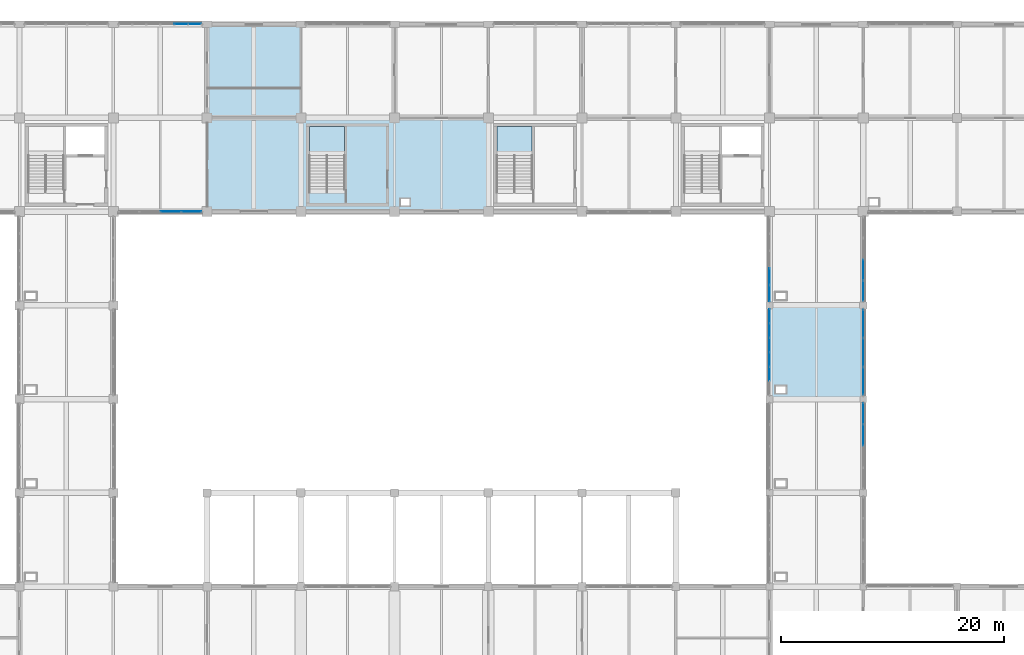
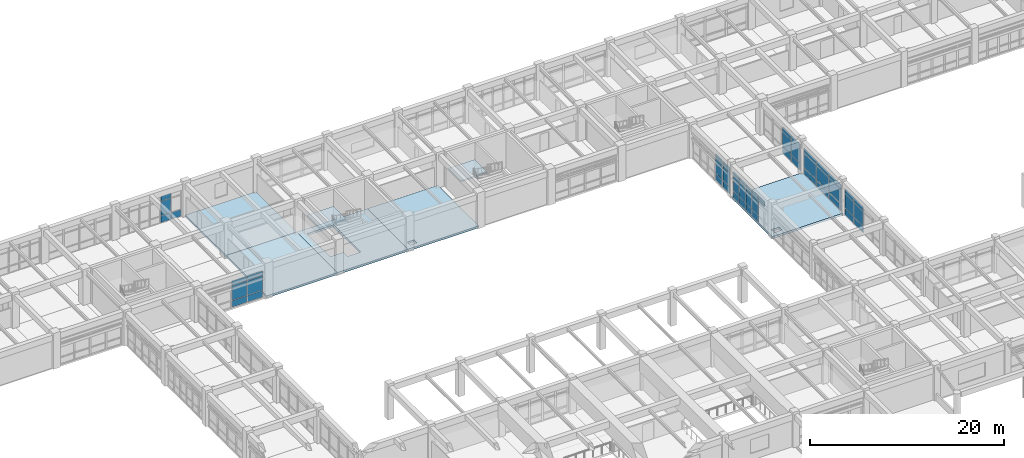
# One storey, part 70 of 99: 50 plates, 7 slabs, 9 elements without a shape of their own.
"""IFC4 building model written with IfcOpenShell, lengths in metres."""

from ifc_helpers import new_model, si_unit, direction, frame, origin, origin_2d, place, context, subcontext, project, spatial, polyline, rectangle, outline, extrude, material, layer, layer_set, type_object, element, aggregate, save


model = new_model("IFC4")

# Units and contexts
model_context = context("Model", 3, precision=1e-05, world=origin(), true_north=direction((0.0, 1.0)))
body_context = subcontext(model_context, "Body", "Model", "MODEL_VIEW")
ifc_project = project(units=[si_unit("LENGTHUNIT", "METRE"), si_unit("AREAUNIT", "SQUARE_METRE"), si_unit("VOLUMEUNIT", "CUBIC_METRE"), si_unit("PLANEANGLEUNIT", "RADIAN"), si_unit("MASSUNIT", "GRAM", prefix="KILO")], contexts=[model_context])

# Site, building, storey
site_placement = place(None, origin())
site = spatial("IfcSite", under=ifc_project, at=site_placement, CompositionType="ELEMENT")
building_placement = place(site_placement, origin())
building = spatial("IfcBuilding", under=site, at=building_placement, Name="Porcellanite Civic Hall", CompositionType="ELEMENT")
storey_placement = place(building_placement, frame((0.0, 0.0, 5.760009765625)))
storey = spatial("IfcBuildingStorey", under=building, at=storey_placement, Name="L01", CompositionType="ELEMENT", Elevation=5.760009765625)

# Curtain wall, plates
ifc_material_1 = material(Name="Anodised aluminium and solar laminated glass", Category="aluminium")
ifc_layer_1 = layer(ifc_material_1, 0.179931640625)
ifc_layer_set_1 = layer_set([ifc_layer_1], Name="Anodised aluminium and solar laminated glass")
curtain_wall_type_1 = type_object("IfcCurtainWallType", Name="CW-SYS06", PredefinedType="NOTDEFINED", material=ifc_layer_set_1)
curtain_wall_1_placement = place(storey_placement, origin())
curtain_wall_1 = element("IfcCurtainWall", 1, at=curtain_wall_1_placement, inside=storey, type_object=curtain_wall_type_1, Name="Curtain wall CW-110", PredefinedType="NOTDEFINED")
ifc_material_2 = material(Name="Cyclone laminated solar-control low-E glass", Category="glass")
ifc_layer_2 = layer(ifc_material_2, 0.02392578125)
ifc_layer_set_2 = layer_set([ifc_layer_2], Name="Cyclone laminated solar-control low-E glass")
plate_type_1 = type_object("IfcPlateType", Name="CWP-01", PredefinedType="CURTAIN_PANEL", material=ifc_layer_set_2)
plate_1_placement = place(storey_placement, frame((126.0, 82.711181640625, 0.0498046875), z_axis=(0.0, 0.0, 1.0), x_axis=(0.0, -1.0, 0.0)))
plate_1 = element("IfcPlate", 2, at=plate_1_placement, type_object=plate_type_1, Name="CW-110 panel 1.1", PredefinedType="CURTAIN_PANEL", context=body_context, shape_type="SweptSolid", body=[
    extrude(rectangle(XDim=1.845703125, YDim=0.02392578125, at=origin_2d()), origin(), (0.0, 0.0, 1.0), 0.824951171875),
])
plate_2_placement = place(storey_placement, frame((126.0, 82.711181640625, 0.9248046875), z_axis=(0.0, 0.0, 1.0), x_axis=(0.0, -1.0, 0.0)))
plate_2 = element("IfcPlate", 3, at=plate_2_placement, type_object=plate_type_1, Name="CW-110 panel 1.2", PredefinedType="CURTAIN_PANEL", context=body_context, shape_type="SweptSolid", body=[
    extrude(rectangle(XDim=1.845703125, YDim=0.02392578125, at=origin_2d()), origin(), (0.0, 0.0, 1.0), 1.800048828125),
])
plate_3_placement = place(storey_placement, frame((126.0, 82.711181640625, 2.77490234375), z_axis=(0.0, 0.0, 1.0), x_axis=(0.0, -1.0, 0.0)))
plate_3 = element("IfcPlate", 4, at=plate_3_placement, type_object=plate_type_1, Name="CW-110 panel 1.3", PredefinedType="CURTAIN_PANEL", context=body_context, shape_type="SweptSolid", body=[
    extrude(rectangle(XDim=1.845703125, YDim=0.02392578125, at=origin_2d()), origin(), (0.0, 0.0, 1.0), 0.574951171875),
])
plate_4_placement = place(storey_placement, frame((126.0, 80.7841796875, 0.0498046875), z_axis=(0.0, 0.0, 1.0), x_axis=(0.0, -1.0, 0.0)))
plate_4 = element("IfcPlate", 5, at=plate_4_placement, type_object=plate_type_1, Name="CW-110 panel 2.1", PredefinedType="CURTAIN_PANEL", context=body_context, shape_type="SweptSolid", body=[
    extrude(rectangle(XDim=1.878173828125, YDim=0.02392578125, at=origin_2d()), origin(), (0.0, 0.0, 1.0), 0.824951171875),
])
plate_5_placement = place(storey_placement, frame((126.0, 80.7841796875, 0.9248046875), z_axis=(0.0, 0.0, 1.0), x_axis=(0.0, -1.0, 0.0)))
plate_5 = element("IfcPlate", 6, at=plate_5_placement, type_object=plate_type_1, Name="CW-110 panel 2.2", PredefinedType="CURTAIN_PANEL", context=body_context, shape_type="SweptSolid", body=[
    extrude(rectangle(XDim=1.878173828125, YDim=0.02392578125, at=origin_2d()), origin(), (0.0, 0.0, 1.0), 1.800048828125),
])
plate_6_placement = place(storey_placement, frame((126.0, 80.7841796875, 2.77490234375), z_axis=(0.0, 0.0, 1.0), x_axis=(0.0, -1.0, 0.0)))
plate_6 = element("IfcPlate", 7, at=plate_6_placement, type_object=plate_type_1, Name="CW-110 panel 2.3", PredefinedType="CURTAIN_PANEL", context=body_context, shape_type="SweptSolid", body=[
    extrude(rectangle(XDim=1.878173828125, YDim=0.02392578125, at=origin_2d()), origin(), (0.0, 0.0, 1.0), 0.574951171875),
])
aggregate(curtain_wall_1, [plate_1, plate_2, plate_3, plate_4, plate_5, plate_6])

ifc_material_3 = material(Name="Anodised aluminium and solar laminated glass", Category="aluminium")
ifc_layer_3 = layer(ifc_material_3, 0.179931640625)
ifc_layer_set_3 = layer_set([ifc_layer_3], Name="Anodised aluminium and solar laminated glass")
curtain_wall_type_2 = type_object("IfcCurtainWallType", Name="CW-SYS07", PredefinedType="NOTDEFINED", material=ifc_layer_set_3)
curtain_wall_2_placement = place(storey_placement, origin())
curtain_wall_2 = element("IfcCurtainWall", 8, at=curtain_wall_2_placement, inside=storey, type_object=curtain_wall_type_2, Name="Curtain wall CW-111", PredefinedType="NOTDEFINED")
ifc_material_4 = material(Name="Cyclone laminated solar-control low-E glass", Category="glass")
ifc_layer_4 = layer(ifc_material_4, 0.02587890625)
ifc_layer_set_4 = layer_set([ifc_layer_4], Name="Cyclone laminated solar-control low-E glass")
plate_type_2 = type_object("IfcPlateType", Name="CWP-02", PredefinedType="CURTAIN_PANEL", material=ifc_layer_set_4)
plate_7_placement = place(storey_placement, frame((117.60009765625, 86.269287109375, 2.77490234375), z_axis=(0.0, 0.0, 1.0), x_axis=(0.0, 1.0, 0.0)))
plate_7 = element("IfcPlate", 9, at=plate_7_placement, type_object=plate_type_2, Name="CW-111 panel 2.3", PredefinedType="CURTAIN_PANEL", context=body_context, shape_type="SweptSolid", body=[
    extrude(rectangle(XDim=1.235595703125, YDim=0.02587890625, at=origin_2d()), origin(), (0.0, 0.0, 1.0), 0.574951171875),
])
plate_8_placement = place(storey_placement, frame((117.60009765625, 87.564697265625, 0.0498046875), z_axis=(0.0, 0.0, 1.0), x_axis=(0.0, 1.0, 0.0)))
plate_8 = element("IfcPlate", 10, at=plate_8_placement, type_object=plate_type_2, Name="CW-111 panel 3.1", PredefinedType="CURTAIN_PANEL", context=body_context, shape_type="SweptSolid", body=[
    extrude(rectangle(XDim=1.235595703125, YDim=0.02587890625, at=origin_2d()), origin(), (0.0, 0.0, 1.0), 0.824951171875),
])
plate_9_placement = place(storey_placement, frame((117.60009765625, 87.564697265625, 0.9248046875), z_axis=(0.0, 0.0, 1.0), x_axis=(0.0, 1.0, 0.0)))
plate_9 = element("IfcPlate", 11, at=plate_9_placement, type_object=plate_type_2, Name="CW-111 panel 3.2", PredefinedType="CURTAIN_PANEL", context=body_context, shape_type="SweptSolid", body=[
    extrude(rectangle(XDim=1.235595703125, YDim=0.02587890625, at=origin_2d()), origin(), (0.0, 0.0, 1.0), 1.800048828125),
])
plate_10_placement = place(storey_placement, frame((117.60009765625, 87.564697265625, 2.77490234375), z_axis=(0.0, 0.0, 1.0), x_axis=(0.0, 1.0, 0.0)))
plate_10 = element("IfcPlate", 12, at=plate_10_placement, type_object=plate_type_2, Name="CW-111 panel 3.3", PredefinedType="CURTAIN_PANEL", context=body_context, shape_type="SweptSolid", body=[
    extrude(rectangle(XDim=1.235595703125, YDim=0.02587890625, at=origin_2d()), origin(), (0.0, 0.0, 1.0), 0.574951171875),
])
plate_11_placement = place(storey_placement, frame((117.60009765625, 88.8603515625, 0.0498046875), z_axis=(0.0, 0.0, 1.0), x_axis=(0.0, 1.0, 0.0)))
plate_11 = element("IfcPlate", 13, at=plate_11_placement, type_object=plate_type_2, Name="CW-111 panel 4.1", PredefinedType="CURTAIN_PANEL", context=body_context, shape_type="SweptSolid", body=[
    extrude(rectangle(XDim=1.235595703125, YDim=0.02587890625, at=origin_2d()), origin(), (0.0, 0.0, 1.0), 0.824951171875),
])
plate_12_placement = place(storey_placement, frame((117.60009765625, 88.8603515625, 0.9248046875), z_axis=(0.0, 0.0, 1.0), x_axis=(0.0, 1.0, 0.0)))
plate_12 = element("IfcPlate", 14, at=plate_12_placement, type_object=plate_type_2, Name="CW-111 panel 4.2", PredefinedType="CURTAIN_PANEL", context=body_context, shape_type="SweptSolid", body=[
    extrude(rectangle(XDim=1.235595703125, YDim=0.02587890625, at=origin_2d()), origin(), (0.0, 0.0, 1.0), 1.800048828125),
])
plate_13_placement = place(storey_placement, frame((117.60009765625, 88.8603515625, 2.77490234375), z_axis=(0.0, 0.0, 1.0), x_axis=(0.0, 1.0, 0.0)))
plate_13 = element("IfcPlate", 15, at=plate_13_placement, type_object=plate_type_2, Name="CW-111 panel 4.3", PredefinedType="CURTAIN_PANEL", context=body_context, shape_type="SweptSolid", body=[
    extrude(rectangle(XDim=1.235595703125, YDim=0.02587890625, at=origin_2d()), origin(), (0.0, 0.0, 1.0), 0.574951171875),
])
plate_14_placement = place(storey_placement, frame((117.60009765625, 90.15576171875, 0.0498046875), z_axis=(0.0, 0.0, 1.0), x_axis=(0.0, 1.0, 0.0)))
plate_14 = element("IfcPlate", 16, at=plate_14_placement, type_object=plate_type_2, Name="CW-111 panel 5.1", PredefinedType="CURTAIN_PANEL", context=body_context, shape_type="SweptSolid", body=[
    extrude(rectangle(XDim=1.235595703125, YDim=0.02587890625, at=origin_2d()), origin(), (0.0, 0.0, 1.0), 0.824951171875),
])
plate_15_placement = place(storey_placement, frame((117.60009765625, 90.15576171875, 0.9248046875), z_axis=(0.0, 0.0, 1.0), x_axis=(0.0, 1.0, 0.0)))
plate_15 = element("IfcPlate", 17, at=plate_15_placement, type_object=plate_type_2, Name="CW-111 panel 5.2", PredefinedType="CURTAIN_PANEL", context=body_context, shape_type="SweptSolid", body=[
    extrude(rectangle(XDim=1.235595703125, YDim=0.02587890625, at=origin_2d()), origin(), (0.0, 0.0, 1.0), 1.800048828125),
])
plate_16_placement = place(storey_placement, frame((117.60009765625, 90.15576171875, 2.77490234375), z_axis=(0.0, 0.0, 1.0), x_axis=(0.0, 1.0, 0.0)))
plate_16 = element("IfcPlate", 18, at=plate_16_placement, type_object=plate_type_2, Name="CW-111 panel 5.3", PredefinedType="CURTAIN_PANEL", context=body_context, shape_type="SweptSolid", body=[
    extrude(rectangle(XDim=1.235595703125, YDim=0.02587890625, at=origin_2d()), origin(), (0.0, 0.0, 1.0), 0.574951171875),
])
plate_17_placement = place(storey_placement, frame((117.60009765625, 91.436279296875, 0.0498046875), z_axis=(0.0, 0.0, 1.0), x_axis=(0.0, 1.0, 0.0)))
plate_17 = element("IfcPlate", 19, at=plate_17_placement, type_object=plate_type_2, Name="CW-111 panel 6.1", PredefinedType="CURTAIN_PANEL", context=body_context, shape_type="SweptSolid", body=[
    extrude(rectangle(XDim=1.20556640625, YDim=0.02587890625, at=origin_2d()), origin(), (0.0, 0.0, 1.0), 0.824951171875),
])
plate_18_placement = place(storey_placement, frame((117.60009765625, 91.436279296875, 0.9248046875), z_axis=(0.0, 0.0, 1.0), x_axis=(0.0, 1.0, 0.0)))
plate_18 = element("IfcPlate", 20, at=plate_18_placement, type_object=plate_type_2, Name="CW-111 panel 6.2", PredefinedType="CURTAIN_PANEL", context=body_context, shape_type="SweptSolid", body=[
    extrude(rectangle(XDim=1.20556640625, YDim=0.02587890625, at=origin_2d()), origin(), (0.0, 0.0, 1.0), 1.800048828125),
])
plate_19_placement = place(storey_placement, frame((117.60009765625, 91.436279296875, 2.77490234375), z_axis=(0.0, 0.0, 1.0), x_axis=(0.0, 1.0, 0.0)))
plate_19 = element("IfcPlate", 21, at=plate_19_placement, type_object=plate_type_2, Name="CW-111 panel 6.3", PredefinedType="CURTAIN_PANEL", context=body_context, shape_type="SweptSolid", body=[
    extrude(rectangle(XDim=1.20556640625, YDim=0.02587890625, at=origin_2d()), origin(), (0.0, 0.0, 1.0), 0.574951171875),
])
aggregate(curtain_wall_2, [plate_7, plate_8, plate_9, plate_10, plate_11, plate_12, plate_13, plate_14, plate_15, plate_16, plate_17, plate_18, plate_19])

ifc_material_5 = material(Name="Anodised aluminium and solar laminated glass", Category="aluminium")
ifc_layer_5 = layer(ifc_material_5, 0.179931640625)
ifc_layer_set_5 = layer_set([ifc_layer_5], Name="Anodised aluminium and solar laminated glass")
curtain_wall_type_3 = type_object("IfcCurtainWallType", Name="CW-SYS08", PredefinedType="NOTDEFINED", material=ifc_layer_set_5)
curtain_wall_3_placement = place(storey_placement, origin())
curtain_wall_3 = element("IfcCurtainWall", 22, at=curtain_wall_3_placement, inside=storey, type_object=curtain_wall_type_3, Name="Curtain wall CW-112", PredefinedType="NOTDEFINED")
ifc_material_6 = material(Name="Cyclone laminated solar-control low-E glass", Category="glass")
ifc_layer_6 = layer(ifc_material_6, 0.028076171875)
ifc_layer_set_6 = layer_set([ifc_layer_6], Name="Cyclone laminated solar-control low-E glass")
plate_type_3 = type_object("IfcPlateType", Name="CWP-03", PredefinedType="CURTAIN_PANEL", material=ifc_layer_set_6)
plate_20_placement = place(storey_placement, frame((126.0, 90.758544921875, 0.070068359375), z_axis=(0.0, 0.0, 1.0), x_axis=(0.0, -1.0, 0.0)))
plate_20 = element("IfcPlate", 23, at=plate_20_placement, type_object=plate_type_3, Name="CW-112 panel 1.1", PredefinedType="CURTAIN_PANEL", context=body_context, shape_type="SweptSolid", body=[
    extrude(rectangle(XDim=2.470947265625, YDim=0.028076171875, at=origin_2d()), origin(), (0.0, 0.0, 1.0), 0.794921875),
])
plate_21_placement = place(storey_placement, frame((126.0, 90.758544921875, 0.93505859375), z_axis=(0.0, 0.0, 1.0), x_axis=(0.0, -1.0, 0.0)))
plate_21 = element("IfcPlate", 24, at=plate_21_placement, type_object=plate_type_3, Name="CW-112 panel 1.2", PredefinedType="CURTAIN_PANEL", context=body_context, shape_type="SweptSolid", body=[
    extrude(rectangle(XDim=2.470947265625, YDim=0.028076171875, at=origin_2d()), origin(), (0.0, 0.0, 1.0), 1.780029296875),
])
plate_22_placement = place(storey_placement, frame((126.0, 90.758544921875, 2.784912109375), z_axis=(0.0, 0.0, 1.0), x_axis=(0.0, -1.0, 0.0)))
plate_22 = element("IfcPlate", 25, at=plate_22_placement, type_object=plate_type_3, Name="CW-112 panel 1.3", PredefinedType="CURTAIN_PANEL", context=body_context, shape_type="SweptSolid", body=[
    extrude(rectangle(XDim=2.470947265625, YDim=0.028076171875, at=origin_2d()), origin(), (0.0, 0.0, 1.0), 0.544921875),
])
plate_23_placement = place(storey_placement, frame((126.0, 88.1875, 0.070068359375), z_axis=(0.0, 0.0, 1.0), x_axis=(0.0, -1.0, 0.0)))
plate_23 = element("IfcPlate", 26, at=plate_23_placement, type_object=plate_type_3, Name="CW-112 panel 2.1", PredefinedType="CURTAIN_PANEL", context=body_context, shape_type="SweptSolid", body=[
    extrude(rectangle(XDim=2.510986328125, YDim=0.028076171875, at=origin_2d()), origin(), (0.0, 0.0, 1.0), 0.794921875),
])
plate_24_placement = place(storey_placement, frame((126.0, 88.1875, 0.93505859375), z_axis=(0.0, 0.0, 1.0), x_axis=(0.0, -1.0, 0.0)))
plate_24 = element("IfcPlate", 27, at=plate_24_placement, type_object=plate_type_3, Name="CW-112 panel 2.2", PredefinedType="CURTAIN_PANEL", context=body_context, shape_type="SweptSolid", body=[
    extrude(rectangle(XDim=2.510986328125, YDim=0.028076171875, at=origin_2d()), origin(), (0.0, 0.0, 1.0), 1.780029296875),
])
plate_25_placement = place(storey_placement, frame((126.0, 88.1875, 2.784912109375), z_axis=(0.0, 0.0, 1.0), x_axis=(0.0, -1.0, 0.0)))
plate_25 = element("IfcPlate", 28, at=plate_25_placement, type_object=plate_type_3, Name="CW-112 panel 2.3", PredefinedType="CURTAIN_PANEL", context=body_context, shape_type="SweptSolid", body=[
    extrude(rectangle(XDim=2.510986328125, YDim=0.028076171875, at=origin_2d()), origin(), (0.0, 0.0, 1.0), 0.544921875),
])
plate_26_placement = place(storey_placement, frame((126.0, 85.616455078125, 0.070068359375), z_axis=(0.0, 0.0, 1.0), x_axis=(0.0, -1.0, 0.0)))
plate_26 = element("IfcPlate", 29, at=plate_26_placement, type_object=plate_type_3, Name="CW-112 panel 3.1", PredefinedType="CURTAIN_PANEL", context=body_context, shape_type="SweptSolid", body=[
    extrude(rectangle(XDim=2.470947265625, YDim=0.028076171875, at=origin_2d()), origin(), (0.0, 0.0, 1.0), 0.794921875),
])
plate_27_placement = place(storey_placement, frame((126.0, 85.616455078125, 0.93505859375), z_axis=(0.0, 0.0, 1.0), x_axis=(0.0, -1.0, 0.0)))
plate_27 = element("IfcPlate", 30, at=plate_27_placement, type_object=plate_type_3, Name="CW-112 panel 3.2", PredefinedType="CURTAIN_PANEL", context=body_context, shape_type="SweptSolid", body=[
    extrude(rectangle(XDim=2.470947265625, YDim=0.028076171875, at=origin_2d()), origin(), (0.0, 0.0, 1.0), 1.780029296875),
])
plate_28_placement = place(storey_placement, frame((126.0, 85.616455078125, 2.784912109375), z_axis=(0.0, 0.0, 1.0), x_axis=(0.0, -1.0, 0.0)))
plate_28 = element("IfcPlate", 31, at=plate_28_placement, type_object=plate_type_3, Name="CW-112 panel 3.3", PredefinedType="CURTAIN_PANEL", context=body_context, shape_type="SweptSolid", body=[
    extrude(rectangle(XDim=2.470947265625, YDim=0.028076171875, at=origin_2d()), origin(), (0.0, 0.0, 1.0), 0.544921875),
])
aggregate(curtain_wall_3, [plate_20, plate_21, plate_22, plate_23, plate_24, plate_25, plate_26, plate_27, plate_28])

ifc_material_7 = material(Name="Anodised aluminium and solar laminated glass", Category="aluminium")
ifc_layer_7 = layer(ifc_material_7, 0.179931640625)
ifc_layer_set_7 = layer_set([ifc_layer_7], Name="Anodised aluminium and solar laminated glass")
curtain_wall_type_4 = type_object("IfcCurtainWallType", Name="CW-SYS01", PredefinedType="NOTDEFINED", material=ifc_layer_set_7)
curtain_wall_4_placement = place(storey_placement, origin())
curtain_wall_4 = element("IfcCurtainWall", 32, at=curtain_wall_4_placement, inside=storey, type_object=curtain_wall_type_4, Name="Curtain wall CW-113", PredefinedType="NOTDEFINED")
ifc_material_8 = material(Name="Cyclone laminated solar-control low-E glass", Category="glass")
ifc_layer_8 = layer(ifc_material_8, 0.030029296875)
ifc_layer_set_8 = layer_set([ifc_layer_8], Name="Cyclone laminated solar-control low-E glass")
plate_type_4 = type_object("IfcPlateType", Name="CWP-04", PredefinedType="CURTAIN_PANEL", material=ifc_layer_set_8)
plate_29_placement = place(storey_placement, frame((117.60009765625, 93.4833984375, 0.06005859375), z_axis=(0.0, 0.0, 1.0), x_axis=(0.0, 1.0, 0.0)))
plate_29 = element("IfcPlate", 33, at=plate_29_placement, type_object=plate_type_4, Name="CW-113 panel 1.1", PredefinedType="CURTAIN_PANEL", context=body_context, shape_type="SweptSolid", body=[
    extrude(rectangle(XDim=1.424560546875, YDim=0.030029296875, at=origin_2d()), origin(), (0.0, 0.0, 1.0), 0.81005859375),
])
plate_30_placement = place(storey_placement, frame((117.60009765625, 93.4833984375, 0.929931640625), z_axis=(0.0, 0.0, 1.0), x_axis=(0.0, 1.0, 0.0)))
plate_30 = element("IfcPlate", 34, at=plate_30_placement, type_object=plate_type_4, Name="CW-113 panel 1.2", PredefinedType="CURTAIN_PANEL", context=body_context, shape_type="SweptSolid", body=[
    extrude(rectangle(XDim=1.424560546875, YDim=0.030029296875, at=origin_2d()), origin(), (0.0, 0.0, 1.0), 1.7900390625),
])
plate_31_placement = place(storey_placement, frame((117.60009765625, 93.4833984375, 2.780029296875), z_axis=(0.0, 0.0, 1.0), x_axis=(0.0, 1.0, 0.0)))
plate_31 = element("IfcPlate", 35, at=plate_31_placement, type_object=plate_type_4, Name="CW-113 panel 1.3", PredefinedType="CURTAIN_PANEL", context=body_context, shape_type="SweptSolid", body=[
    extrude(rectangle(XDim=1.424560546875, YDim=0.030029296875, at=origin_2d()), origin(), (0.0, 0.0, 1.0), 0.56005859375),
])
plate_32_placement = place(storey_placement, frame((117.60009765625, 94.995361328125, 0.06005859375), z_axis=(0.0, 0.0, 1.0), x_axis=(0.0, 1.0, 0.0)))
plate_32 = element("IfcPlate", 36, at=plate_32_placement, type_object=plate_type_4, Name="CW-113 panel 2.1", PredefinedType="CURTAIN_PANEL", context=body_context, shape_type="SweptSolid", body=[
    extrude(rectangle(XDim=1.459716796875, YDim=0.030029296875, at=origin_2d()), origin(), (0.0, 0.0, 1.0), 0.81005859375),
])
plate_33_placement = place(storey_placement, frame((117.60009765625, 94.995361328125, 0.929931640625), z_axis=(0.0, 0.0, 1.0), x_axis=(0.0, 1.0, 0.0)))
plate_33 = element("IfcPlate", 37, at=plate_33_placement, type_object=plate_type_4, Name="CW-113 panel 2.2", PredefinedType="CURTAIN_PANEL", context=body_context, shape_type="SweptSolid", body=[
    extrude(rectangle(XDim=1.459716796875, YDim=0.030029296875, at=origin_2d()), origin(), (0.0, 0.0, 1.0), 1.7900390625),
])
plate_34_placement = place(storey_placement, frame((117.60009765625, 94.995361328125, 2.780029296875), z_axis=(0.0, 0.0, 1.0), x_axis=(0.0, 1.0, 0.0)))
plate_34 = element("IfcPlate", 38, at=plate_34_placement, type_object=plate_type_4, Name="CW-113 panel 2.3", PredefinedType="CURTAIN_PANEL", context=body_context, shape_type="SweptSolid", body=[
    extrude(rectangle(XDim=1.459716796875, YDim=0.030029296875, at=origin_2d()), origin(), (0.0, 0.0, 1.0), 0.56005859375),
])
aggregate(curtain_wall_4, [plate_29, plate_30, plate_31, plate_32, plate_33, plate_34])

ifc_material_9 = material(Name="Anodised aluminium and solar laminated glass", Category="aluminium")
ifc_layer_9 = layer(ifc_material_9, 0.179931640625)
ifc_layer_set_9 = layer_set([ifc_layer_9], Name="Anodised aluminium and solar laminated glass")
curtain_wall_type_5 = type_object("IfcCurtainWallType", Name="CW-SYS03", PredefinedType="NOTDEFINED", material=ifc_layer_set_9)
curtain_wall_5_placement = place(storey_placement, origin())
curtain_wall_5 = element("IfcCurtainWall", 39, at=curtain_wall_5_placement, inside=storey, type_object=curtain_wall_type_5, Name="Curtain wall CW-114", PredefinedType="NOTDEFINED")
ifc_material_10 = material(Name="Cyclone laminated solar-control low-E glass", Category="glass")
ifc_layer_10 = layer(ifc_material_10, 0.031982421875)
ifc_layer_set_10 = layer_set([ifc_layer_10], Name="Cyclone laminated solar-control low-E glass")
plate_type_5 = type_object("IfcPlateType", Name="CWP-05", PredefinedType="CURTAIN_PANEL", material=ifc_layer_set_10)
plate_35_placement = place(storey_placement, frame((126.0, 95.584716796875, 0.054931640625), z_axis=(0.0, 0.0, 1.0), x_axis=(0.0, -1.0, 0.0)))
plate_35 = element("IfcPlate", 40, at=plate_35_placement, type_object=plate_type_5, Name="CW-114 panel 3.1", PredefinedType="CURTAIN_PANEL", context=body_context, shape_type="SweptSolid", body=[
    extrude(rectangle(XDim=1.82568359375, YDim=0.031982421875, at=origin_2d()), origin(), (0.0, 0.0, 1.0), 0.8173828125),
])
plate_36_placement = place(storey_placement, frame((126.0, 95.584716796875, 0.927490234375), z_axis=(0.0, 0.0, 1.0), x_axis=(0.0, -1.0, 0.0)))
plate_36 = element("IfcPlate", 41, at=plate_36_placement, type_object=plate_type_5, Name="CW-114 panel 3.2", PredefinedType="CURTAIN_PANEL", context=body_context, shape_type="SweptSolid", body=[
    extrude(rectangle(XDim=1.82568359375, YDim=0.031982421875, at=origin_2d()), origin(), (0.0, 0.0, 1.0), 1.794921875),
])
plate_37_placement = place(storey_placement, frame((126.0, 95.584716796875, 2.777587890625), z_axis=(0.0, 0.0, 1.0), x_axis=(0.0, -1.0, 0.0)))
plate_37 = element("IfcPlate", 42, at=plate_37_placement, type_object=plate_type_5, Name="CW-114 panel 3.3", PredefinedType="CURTAIN_PANEL", context=body_context, shape_type="SweptSolid", body=[
    extrude(rectangle(XDim=1.82568359375, YDim=0.031982421875, at=origin_2d()), origin(), (0.0, 0.0, 1.0), 0.5673828125),
])
plate_38_placement = place(storey_placement, frame((126.0, 93.698974609375, 0.054931640625), z_axis=(0.0, 0.0, 1.0), x_axis=(0.0, -1.0, 0.0)))
plate_38 = element("IfcPlate", 43, at=plate_38_placement, type_object=plate_type_5, Name="CW-114 panel 4.1", PredefinedType="CURTAIN_PANEL", context=body_context, shape_type="SweptSolid", body=[
    extrude(rectangle(XDim=1.78564453125, YDim=0.031982421875, at=origin_2d()), origin(), (0.0, 0.0, 1.0), 0.8173828125),
])
plate_39_placement = place(storey_placement, frame((126.0, 93.698974609375, 0.927490234375), z_axis=(0.0, 0.0, 1.0), x_axis=(0.0, -1.0, 0.0)))
plate_39 = element("IfcPlate", 44, at=plate_39_placement, type_object=plate_type_5, Name="CW-114 panel 4.2", PredefinedType="CURTAIN_PANEL", context=body_context, shape_type="SweptSolid", body=[
    extrude(rectangle(XDim=1.78564453125, YDim=0.031982421875, at=origin_2d()), origin(), (0.0, 0.0, 1.0), 1.794921875),
])
plate_40_placement = place(storey_placement, frame((126.0, 93.698974609375, 2.777587890625), z_axis=(0.0, 0.0, 1.0), x_axis=(0.0, -1.0, 0.0)))
plate_40 = element("IfcPlate", 45, at=plate_40_placement, type_object=plate_type_5, Name="CW-114 panel 4.3", PredefinedType="CURTAIN_PANEL", context=body_context, shape_type="SweptSolid", body=[
    extrude(rectangle(XDim=1.78564453125, YDim=0.031982421875, at=origin_2d()), origin(), (0.0, 0.0, 1.0), 0.5673828125),
])
aggregate(curtain_wall_5, [plate_35, plate_36, plate_37, plate_38, plate_39, plate_40])

curtain_wall_6_placement = place(storey_placement, origin())
curtain_wall_6 = element("IfcCurtainWall", 46, at=curtain_wall_6_placement, inside=storey, type_object=curtain_wall_type_1, Name="Curtain wall CW-086", PredefinedType="NOTDEFINED")
ifc_material_11 = material(Name="Cyclone laminated solar-control low-E glass", Category="glass")
ifc_layer_11 = layer(ifc_material_11, 0.035888671875)
ifc_layer_set_11 = layer_set([ifc_layer_11], Name="Cyclone laminated solar-control low-E glass")
plate_type_6 = type_object("IfcPlateType", Name="CWP-07", PredefinedType="CURTAIN_PANEL", material=ifc_layer_set_11)
plate_41_placement = place(storey_placement, frame((65.79541015625, 100.800048828125, 0.0498046875), z_axis=(0.0, 0.0, 1.0), x_axis=(-1.0, 0.0, 0.0)))
plate_41 = element("IfcPlate", 47, at=plate_41_placement, type_object=plate_type_6, Name="CW-086 panel 1.1", PredefinedType="CURTAIN_PANEL", context=body_context, shape_type="SweptSolid", body=[
    extrude(rectangle(XDim=1.777099609375, YDim=0.035888671875, at=origin_2d()), origin(), (0.0, 0.0, 1.0), 0.824951171875),
])
plate_42_placement = place(storey_placement, frame((65.79541015625, 100.800048828125, 0.9248046875), z_axis=(0.0, 0.0, 1.0), x_axis=(-1.0, 0.0, 0.0)))
plate_42 = element("IfcPlate", 48, at=plate_42_placement, type_object=plate_type_6, Name="CW-086 panel 1.2", PredefinedType="CURTAIN_PANEL", context=body_context, shape_type="SweptSolid", body=[
    extrude(rectangle(XDim=1.777099609375, YDim=0.035888671875, at=origin_2d()), origin(), (0.0, 0.0, 1.0), 1.800048828125),
])
plate_43_placement = place(storey_placement, frame((65.79541015625, 100.800048828125, 2.77490234375), z_axis=(0.0, 0.0, 1.0), x_axis=(-1.0, 0.0, 0.0)))
plate_43 = element("IfcPlate", 49, at=plate_43_placement, type_object=plate_type_6, Name="CW-086 panel 1.3", PredefinedType="CURTAIN_PANEL", context=body_context, shape_type="SweptSolid", body=[
    extrude(rectangle(XDim=1.777099609375, YDim=0.035888671875, at=origin_2d()), origin(), (0.0, 0.0, 1.0), 0.574951171875),
])
plate_44_placement = place(storey_placement, frame((63.937255859375, 100.800048828125, 0.0498046875), z_axis=(0.0, 0.0, 1.0), x_axis=(-1.0, 0.0, 0.0)))
plate_44 = element("IfcPlate", 50, at=plate_44_placement, type_object=plate_type_6, Name="CW-086 panel 2.1", PredefinedType="CURTAIN_PANEL", context=body_context, shape_type="SweptSolid", body=[
    extrude(rectangle(XDim=1.8095703125, YDim=0.035888671875, at=origin_2d()), origin(), (0.0, 0.0, 1.0), 0.824951171875),
])
plate_45_placement = place(storey_placement, frame((63.937255859375, 100.800048828125, 0.9248046875), z_axis=(0.0, 0.0, 1.0), x_axis=(-1.0, 0.0, 0.0)))
plate_45 = element("IfcPlate", 51, at=plate_45_placement, type_object=plate_type_6, Name="CW-086 panel 2.2", PredefinedType="CURTAIN_PANEL", context=body_context, shape_type="SweptSolid", body=[
    extrude(rectangle(XDim=1.8095703125, YDim=0.035888671875, at=origin_2d()), origin(), (0.0, 0.0, 1.0), 1.800048828125),
])
plate_46_placement = place(storey_placement, frame((63.937255859375, 100.800048828125, 2.77490234375), z_axis=(0.0, 0.0, 1.0), x_axis=(-1.0, 0.0, 0.0)))
plate_46 = element("IfcPlate", 52, at=plate_46_placement, type_object=plate_type_6, Name="CW-086 panel 2.3", PredefinedType="CURTAIN_PANEL", context=body_context, shape_type="SweptSolid", body=[
    extrude(rectangle(XDim=1.8095703125, YDim=0.035888671875, at=origin_2d()), origin(), (0.0, 0.0, 1.0), 0.574951171875),
])
aggregate(curtain_wall_6, [plate_41, plate_42, plate_43, plate_44, plate_45, plate_46])

curtain_wall_7_placement = place(storey_placement, origin())
curtain_wall_7 = element("IfcCurtainWall", 53, at=curtain_wall_7_placement, inside=storey, type_object=curtain_wall_type_2, Name="Curtain wall CW-087", PredefinedType="NOTDEFINED")
ifc_material_12 = material(Name="Insulated ochre aluminium spandrel panel", Category="aluminium")
ifc_layer_12 = layer(ifc_material_12, 0.0380859375)
ifc_layer_set_12 = layer_set([ifc_layer_12], Name="Insulated ochre aluminium spandrel panel")
plate_type_7 = type_object("IfcPlateType", Name="CWP-08", PredefinedType="CURTAIN_PANEL", material=ifc_layer_set_12)
plate_47_placement = place(storey_placement, frame((64.87451171875, 117.60009765625, 0.0498046875), z_axis=(0.0, 0.0, 1.0), x_axis=(1.0, 0.0, 0.0)))
plate_47 = element("IfcPlate", 54, at=plate_47_placement, type_object=plate_type_7, Name="CW-087 panel 5.1", PredefinedType="CURTAIN_PANEL", context=body_context, shape_type="SweptSolid", body=[
    extrude(rectangle(XDim=1.189697265625, YDim=0.0380859375, at=origin_2d()), origin(), (0.0, 0.0, 1.0), 0.824951171875),
])
plate_48_placement = place(storey_placement, frame((64.87451171875, 117.60009765625, 0.9248046875), z_axis=(0.0, 0.0, 1.0), x_axis=(1.0, 0.0, 0.0)))
plate_48 = element("IfcPlate", 55, at=plate_48_placement, type_object=plate_type_7, Name="CW-087 panel 5.2", PredefinedType="CURTAIN_PANEL", context=body_context, shape_type="SweptSolid", body=[
    extrude(rectangle(XDim=1.189697265625, YDim=0.0380859375, at=origin_2d()), origin(), (0.0, 0.0, 1.0), 1.800048828125),
])
plate_49_placement = place(storey_placement, frame((64.87451171875, 117.60009765625, 2.77490234375), z_axis=(0.0, 0.0, 1.0), x_axis=(1.0, 0.0, 0.0)))
plate_49 = element("IfcPlate", 56, at=plate_49_placement, type_object=plate_type_7, Name="CW-087 panel 5.3", PredefinedType="CURTAIN_PANEL", context=body_context, shape_type="SweptSolid", body=[
    extrude(rectangle(XDim=1.189697265625, YDim=0.0380859375, at=origin_2d()), origin(), (0.0, 0.0, 1.0), 0.574951171875),
])
plate_50_placement = place(storey_placement, frame((66.109130859375, 117.60009765625, 0.0498046875), z_axis=(0.0, 0.0, 1.0), x_axis=(1.0, 0.0, 0.0)))
plate_50 = element("IfcPlate", 57, at=plate_50_placement, type_object=plate_type_7, Name="CW-087 panel 6.1", PredefinedType="CURTAIN_PANEL", context=body_context, shape_type="SweptSolid", body=[
    extrude(rectangle(XDim=1.15966796875, YDim=0.0380859375, at=origin_2d()), origin(), (0.0, 0.0, 1.0), 0.824951171875),
])
aggregate(curtain_wall_7, [plate_47, plate_48, plate_49, plate_50])

# Stair, slab
ifc_material_13 = material(Name="Concrete N40 (40 MPa)", Category="concrete")
stair_type = type_object("IfcStairType", Name="STR-HT25", PredefinedType="HALF_TURN_STAIR", material=ifc_material_13)
stair_1_placement = place(storey_placement, origin())
stair_1 = element("IfcStair", 58, at=stair_1_placement, inside=storey, type_object=stair_type, Name="Fire stair ST-09 L01", PredefinedType="HALF_TURN_STAIR")
ifc_material_14 = material(Name="Concrete N40 (40 MPa)", Category="concrete")
ifc_layer_13 = layer(ifc_material_14, 0.179931640625)
ifc_layer_set_13 = layer_set([ifc_layer_13], Name="Concrete N40 (40 MPa)")
slab_type_1 = type_object("IfcSlabType", Name="LND-18", PredefinedType="LANDING", material=ifc_layer_set_13)
slab_1_placement = place(storey_placement, frame((0.0, 0.0, 2.159912109375)))
slab_1 = element("IfcSlab", 59, at=slab_1_placement, type_object=slab_type_1, Name="ST-09 landing 1", PredefinedType="LANDING", context=body_context, shape_type="SweptSolid", body=[
    extrude(outline(polyline([(76.380615234375, 105.824951171875), (79.51953125, 105.824951171875), (79.51953125, 108.41943359375), (76.380615234375, 108.41943359375), (76.380615234375, 105.824951171875)])), origin(), (0.0, 0.0, 1.0), 0.18017578125),
])
aggregate(stair_1, [slab_1])

stair_2_placement = place(storey_placement, origin())
stair_2 = element("IfcStair", 60, at=stair_2_placement, inside=storey, type_object=stair_type, Name="Fire stair ST-10 L01", PredefinedType="HALF_TURN_STAIR")
slab_2_placement = place(storey_placement, frame((0.0, 0.0, 2.159912109375)))
slab_2 = element("IfcSlab", 61, at=slab_2_placement, type_object=slab_type_1, Name="ST-10 landing 1", PredefinedType="LANDING", context=body_context, shape_type="SweptSolid", body=[
    extrude(outline(polyline([(93.180419921875, 105.824951171875), (96.319580078125, 105.824951171875), (96.319580078125, 108.41943359375), (93.180419921875, 108.41943359375), (93.180419921875, 105.824951171875)])), origin(), (0.0, 0.0, 1.0), 0.18017578125),
])
aggregate(stair_2, [slab_2])

# Slabs
ifc_material_15 = material(Name="Concrete N40 (40 MPa)", Category="concrete")
ifc_layer_14 = layer(ifc_material_15, 0.25)
ifc_layer_set_14 = layer_set([ifc_layer_14], Name="Concrete N40 (40 MPa)")
slab_type_2 = type_object("IfcSlabType", Name="SL-FL250", PredefinedType="FLOOR", material=ifc_layer_set_14)
slab_3_placement = place(storey_placement, frame((0.0, 0.0, -0.25)))
element("IfcSlab", 62, at=slab_3_placement, inside=storey, type_object=slab_type_2, Name="Slab L01 bay 9-13", PredefinedType="FLOOR", context=body_context, shape_type="SweptSolid", body=[
    extrude(outline(polyline([(67.199951171875, 100.800048828125), (75.60009765625, 100.800048828125), (75.60009765625, 109.199951171875), (67.199951171875, 109.199951171875), (67.199951171875, 100.800048828125)])), origin(), (0.0, 0.0, 1.0), 0.25),
])
slab_4_placement = place(storey_placement, frame((0.0, 0.0, -0.25)))
element("IfcSlab", 63, at=slab_4_placement, inside=storey, type_object=slab_type_2, Name="Slab L01 bay 11-13", PredefinedType="FLOOR", context=body_context, shape_type="SweptSolid", body=[
    extrude(outline(polyline([(84.0, 100.800048828125), (92.39990234375, 100.800048828125), (92.39990234375, 109.199951171875), (84.0, 109.199951171875), (84.0, 100.800048828125)]), holes=[polyline([(84.550048828125, 101.35009765625), (85.35009765625, 101.35009765625), (85.35009765625, 101.949951171875), (84.550048828125, 101.949951171875), (84.550048828125, 101.35009765625)])]), origin(), (0.0, 0.0, 1.0), 0.25),
])
ifc_material_16 = material(Name="Concrete N40 (40 MPa)", Category="concrete")
ifc_layer_15 = layer(ifc_material_16, 0.260009765625)
ifc_layer_set_15 = layer_set([ifc_layer_15], Name="Concrete N40 (40 MPa)")
slab_type_3 = type_object("IfcSlabType", Name="SL-FL260", PredefinedType="FLOOR", material=ifc_layer_set_15)
slab_5_placement = place(storey_placement, frame((0.0, 0.0, -0.260009765625)))
element("IfcSlab", 64, at=slab_5_placement, inside=storey, type_object=slab_type_3, Name="Slab L01 bay 9-14", PredefinedType="FLOOR", context=body_context, shape_type="SweptSolid", body=[
    extrude(outline(polyline([(67.199951171875, 109.199951171875), (75.60009765625, 109.199951171875), (75.60009765625, 117.60009765625), (67.199951171875, 117.60009765625), (67.199951171875, 109.199951171875)])), origin(), (0.0, 0.0, 1.0), 0.260009765625),
])
slab_6_placement = place(storey_placement, frame((0.0, 0.0, -0.260009765625)))
element("IfcSlab", 65, at=slab_6_placement, inside=storey, type_object=slab_type_3, Name="Slab L01 bay 10-13", PredefinedType="FLOOR", context=body_context, shape_type="SweptSolid", body=[
    extrude(outline(polyline([(75.60009765625, 100.800048828125), (84.0, 100.800048828125), (84.0, 109.199951171875), (75.60009765625, 109.199951171875), (75.60009765625, 100.800048828125)]), holes=[polyline([(76.3798828125, 103.64990234375), (77.9599609375, 103.64990234375), (77.9599609375, 102.800048828125), (79.52001953125, 102.800048828125), (79.52001953125, 108.419921875), (76.3798828125, 108.419921875), (76.3798828125, 103.64990234375)])]), origin(), (0.0, 0.0, 1.0), 0.260009765625),
])
slab_7_placement = place(storey_placement, frame((0.0, 0.0, -0.260009765625)))
element("IfcSlab", 66, at=slab_7_placement, inside=storey, type_object=slab_type_3, Name="Slab L01 bay 15-11", PredefinedType="FLOOR", context=body_context, shape_type="SweptSolid", body=[
    extrude(outline(polyline([(117.60009765625, 84.0), (126.0, 84.0), (126.0, 92.39990234375), (117.60009765625, 92.39990234375), (117.60009765625, 84.0)]), holes=[polyline([(118.14990234375, 84.550048828125), (119.050048828125, 84.550048828125), (119.050048828125, 85.14990234375), (118.14990234375, 85.14990234375), (118.14990234375, 84.550048828125)])]), origin(), (0.0, 0.0, 1.0), 0.260009765625),
])

save(model, "model.ifc")
